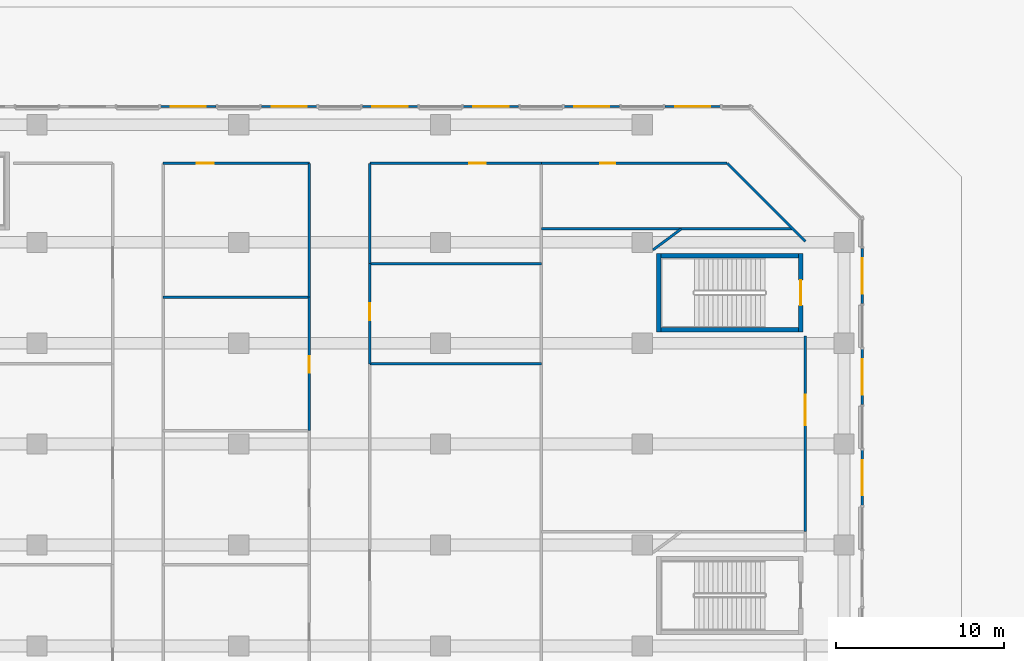
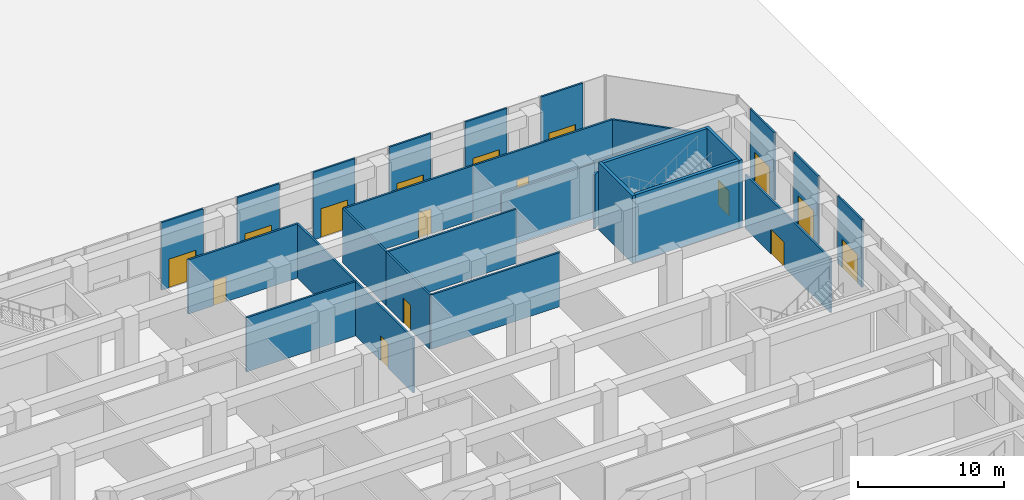
# One storey, part 24 of 32: 27 walls, 16 doors, 16 openings.
"""IFC4 building model written with IfcOpenShell, lengths in metres."""

from ifc_helpers import new_model, si_unit, direction, frame, frame_2d, origin, place, context, subcontext, project, spatial, rectangle, extrude, material, layer, layer_set, type_object, element, fill, save


model = new_model("IFC4")

# Units and contexts
model_context = context("Model", 3, precision=1e-05, world=origin(), true_north=direction((0.0, 1.0)))
body_context = subcontext(model_context, "Body", "Model", "MODEL_VIEW")
ifc_project = project(units=[si_unit("LENGTHUNIT", "METRE"), si_unit("AREAUNIT", "SQUARE_METRE"), si_unit("VOLUMEUNIT", "CUBIC_METRE"), si_unit("PLANEANGLEUNIT", "RADIAN"), si_unit("MASSUNIT", "GRAM", prefix="KILO")], contexts=[model_context])

# Site, building, storey
site_placement = place(None, origin())
site = spatial("IfcSite", under=ifc_project, at=site_placement, CompositionType="ELEMENT")
building_placement = place(site_placement, origin())
building = spatial("IfcBuilding", under=site, at=building_placement, Name="Welwitschia Terrace Campus", CompositionType="ELEMENT")
storey_placement = place(building_placement, origin())
storey = spatial("IfcBuildingStorey", under=building, at=storey_placement, Name="L00", CompositionType="ELEMENT", Elevation=0.0)

# Wall, opening, door
ifc_material_1 = material(Name="Concrete C40/50", Category="concrete")
ifc_layer_1 = layer(ifc_material_1, 0.139892578125)
ifc_layer_set_1 = layer_set([ifc_layer_1], Name="Concrete C40/50")
wall_type_1 = type_object("IfcWallType", Name="Clad wall 140", PredefinedType="SOLIDWALL", material=ifc_layer_set_1)
wall_1_placement = place(storey_placement, frame((97.0849609375, 46.35009765625, 0.0), z_axis=(0.0, 0.0, 1.0), x_axis=(0.0, 1.0, 0.0)))
wall_1 = element("IfcWall", 1, at=wall_1_placement, inside=storey, type_object=wall_type_1, Name="Clad wall L00.entrance E7", PredefinedType="SOLIDWALL", context=body_context, shape_type="SweptSolid", body=[
    extrude(rectangle(XDim=3.2998046875, YDim=0.139892578125, at=frame_2d((1.64990234375, 0.0))), origin(), (0.0, 0.0, 1.0), 5.64990234375),
])
opening_1_placement = place(wall_1_placement, frame((0.60009765625, 0.0, 0.0)))
opening_1 = element("IfcOpeningElement", 2, at=opening_1_placement, cuts=wall_1, Name="Opening DE1", PredefinedType="OPENING", context=body_context, shape_type="SweptSolid", body=[
    extrude(rectangle(XDim=2.10009765625, YDim=2.39990234375, at=frame_2d((1.050048828125, 1.199951171875))), frame((0.0, 0.079833984375, 0.0), z_axis=(0.0, -1.0, 0.0), x_axis=(1.0, 0.0, 0.0)), (0.0, 0.0, 1.0), 0.159912109375),
])
ifc_material_2 = material(Name="Bronze anodised aluminium and glass", Category="aluminium")
door_type_1 = type_object("IfcDoorType", Name="Entrance door 2100x2400", OperationType="DOUBLE_DOOR_DOUBLE_SWING", PredefinedType="DOOR", material=ifc_material_2)
door_1_placement = place(opening_1_placement, origin())
door_1 = element("IfcDoor", 3, at=door_1_placement, inside=storey, type_object=door_type_1, Name="Entrance door E7", OperationType="DOUBLE_DOOR_DOUBLE_SWING", OverallHeight=2.39990234375, OverallWidth=2.10009765625, PredefinedType="DOOR", context=body_context, shape_type="SweptSolid", body=[
    extrude(rectangle(XDim=2.10009765625, YDim=2.39990234375, at=frame_2d((1.050048828125, 1.199951171875))), frame((0.0, 0.02490234375, 0.0), z_axis=(0.0, -1.0, 0.0), x_axis=(1.0, 0.0, 0.0)), (0.0, 0.0, 1.0), 0.050048828125),
])
fill(opening_1, door_1)

wall_2_placement = place(storey_placement, frame((97.0849609375, 52.35009765625, 0.0), z_axis=(0.0, 0.0, 1.0), x_axis=(0.0, 1.0, 0.0)))
wall_2 = element("IfcWall", 4, at=wall_2_placement, inside=storey, type_object=wall_type_1, Name="Clad wall L00.entrance E8", PredefinedType="SOLIDWALL", context=body_context, shape_type="SweptSolid", body=[
    extrude(rectangle(XDim=3.2998046875, YDim=0.139892578125, at=frame_2d((1.64990234375, 0.0))), origin(), (0.0, 0.0, 1.0), 5.64990234375),
])
opening_2_placement = place(wall_2_placement, frame((0.60009765625, 0.0, 0.0)))
opening_2 = element("IfcOpeningElement", 5, at=opening_2_placement, cuts=wall_2, Name="Opening DE1", PredefinedType="OPENING", context=body_context, shape_type="SweptSolid", body=[
    extrude(rectangle(XDim=2.10009765625, YDim=2.39990234375, at=frame_2d((1.050048828125, 1.199951171875))), frame((0.0, 0.079833984375, 0.0), z_axis=(0.0, -1.0, 0.0), x_axis=(1.0, 0.0, 0.0)), (0.0, 0.0, 1.0), 0.159912109375),
])
door_2_placement = place(opening_2_placement, origin())
door_2 = element("IfcDoor", 6, at=door_2_placement, inside=storey, type_object=door_type_1, Name="Entrance door E8", OperationType="DOUBLE_DOOR_DOUBLE_SWING", OverallHeight=2.39990234375, OverallWidth=2.10009765625, PredefinedType="DOOR", context=body_context, shape_type="SweptSolid", body=[
    extrude(rectangle(XDim=2.10009765625, YDim=2.39990234375, at=frame_2d((1.050048828125, 1.199951171875))), frame((0.0, 0.02490234375, 0.0), z_axis=(0.0, -1.0, 0.0), x_axis=(1.0, 0.0, 0.0)), (0.0, 0.0, 1.0), 0.050048828125),
])
fill(opening_2, door_2)

wall_3_placement = place(storey_placement, frame((97.0849609375, 58.35009765625, 0.0), z_axis=(0.0, 0.0, 1.0), x_axis=(0.0, 1.0, 0.0)))
wall_3 = element("IfcWall", 7, at=wall_3_placement, inside=storey, type_object=wall_type_1, Name="Clad wall L00.entrance E9", PredefinedType="SOLIDWALL", context=body_context, shape_type="SweptSolid", body=[
    extrude(rectangle(XDim=3.2998046875, YDim=0.139892578125, at=frame_2d((1.64990234375, 0.0))), origin(), (0.0, 0.0, 1.0), 5.64990234375),
])
opening_3_placement = place(wall_3_placement, frame((0.60009765625, 0.0, 0.0)))
opening_3 = element("IfcOpeningElement", 8, at=opening_3_placement, cuts=wall_3, Name="Opening DE1", PredefinedType="OPENING", context=body_context, shape_type="SweptSolid", body=[
    extrude(rectangle(XDim=2.10009765625, YDim=2.39990234375, at=frame_2d((1.050048828125, 1.199951171875))), frame((0.0, 0.079833984375, 0.0), z_axis=(0.0, -1.0, 0.0), x_axis=(1.0, 0.0, 0.0)), (0.0, 0.0, 1.0), 0.159912109375),
])
door_3_placement = place(opening_3_placement, origin())
door_3 = element("IfcDoor", 9, at=door_3_placement, inside=storey, type_object=door_type_1, Name="Entrance door E9", OperationType="DOUBLE_DOOR_DOUBLE_SWING", OverallHeight=2.39990234375, OverallWidth=2.10009765625, PredefinedType="DOOR", context=body_context, shape_type="SweptSolid", body=[
    extrude(rectangle(XDim=2.10009765625, YDim=2.39990234375, at=frame_2d((1.050048828125, 1.199951171875))), frame((0.0, 0.02490234375, 0.0), z_axis=(0.0, -1.0, 0.0), x_axis=(1.0, 0.0, 0.0)), (0.0, 0.0, 1.0), 0.050048828125),
])
fill(opening_3, door_3)

wall_4_placement = place(storey_placement, frame((88.64990234375, 70.0849609375, 0.0), z_axis=(0.0, 0.0, 1.0), x_axis=(-1.0, 0.0, 0.0)))
wall_4 = element("IfcWall", 10, at=wall_4_placement, inside=storey, type_object=wall_type_1, Name="Clad wall L00.entrance N1", PredefinedType="SOLIDWALL", context=body_context, shape_type="SweptSolid", body=[
    extrude(rectangle(XDim=3.2998046875, YDim=0.139892578125, at=frame_2d((1.64990234375, 0.0))), origin(), (0.0, 0.0, 1.0), 5.64990234375),
])
opening_4_placement = place(wall_4_placement, frame((0.60009765625, 0.0, 0.0)))
opening_4 = element("IfcOpeningElement", 11, at=opening_4_placement, cuts=wall_4, Name="Opening DE1", PredefinedType="OPENING", context=body_context, shape_type="SweptSolid", body=[
    extrude(rectangle(XDim=2.10009765625, YDim=2.39990234375, at=frame_2d((1.050048828125, 1.199951171875))), frame((0.0, 0.079833984375, 0.0), z_axis=(0.0, -1.0, 0.0), x_axis=(1.0, 0.0, 0.0)), (0.0, 0.0, 1.0), 0.159912109375),
])
door_4_placement = place(opening_4_placement, origin())
door_4 = element("IfcDoor", 12, at=door_4_placement, inside=storey, type_object=door_type_1, Name="Entrance door N1", OperationType="DOUBLE_DOOR_DOUBLE_SWING", OverallHeight=2.39990234375, OverallWidth=2.10009765625, PredefinedType="DOOR", context=body_context, shape_type="SweptSolid", body=[
    extrude(rectangle(XDim=2.10009765625, YDim=2.39990234375, at=frame_2d((1.050048828125, 1.199951171875))), frame((0.0, 0.02490234375, 0.0), z_axis=(0.0, -1.0, 0.0), x_axis=(1.0, 0.0, 0.0)), (0.0, 0.0, 1.0), 0.050048828125),
])
fill(opening_4, door_4)

wall_5_placement = place(storey_placement, frame((82.64990234375, 70.0849609375, 0.0), z_axis=(0.0, 0.0, 1.0), x_axis=(-1.0, 0.0, 0.0)))
wall_5 = element("IfcWall", 13, at=wall_5_placement, inside=storey, type_object=wall_type_1, Name="Clad wall L00.entrance N2", PredefinedType="SOLIDWALL", context=body_context, shape_type="SweptSolid", body=[
    extrude(rectangle(XDim=3.2998046875, YDim=0.139892578125, at=frame_2d((1.64990234375, 0.0))), origin(), (0.0, 0.0, 1.0), 5.64990234375),
])
opening_5_placement = place(wall_5_placement, frame((0.60009765625, 0.0, 0.0)))
opening_5 = element("IfcOpeningElement", 14, at=opening_5_placement, cuts=wall_5, Name="Opening DE1", PredefinedType="OPENING", context=body_context, shape_type="SweptSolid", body=[
    extrude(rectangle(XDim=2.10009765625, YDim=2.39990234375, at=frame_2d((1.050048828125, 1.199951171875))), frame((0.0, 0.079833984375, 0.0), z_axis=(0.0, -1.0, 0.0), x_axis=(1.0, 0.0, 0.0)), (0.0, 0.0, 1.0), 0.159912109375),
])
door_5_placement = place(opening_5_placement, origin())
door_5 = element("IfcDoor", 15, at=door_5_placement, inside=storey, type_object=door_type_1, Name="Entrance door N2", OperationType="DOUBLE_DOOR_DOUBLE_SWING", OverallHeight=2.39990234375, OverallWidth=2.10009765625, PredefinedType="DOOR", context=body_context, shape_type="SweptSolid", body=[
    extrude(rectangle(XDim=2.10009765625, YDim=2.39990234375, at=frame_2d((1.050048828125, 1.199951171875))), frame((0.0, 0.02490234375, 0.0), z_axis=(0.0, -1.0, 0.0), x_axis=(1.0, 0.0, 0.0)), (0.0, 0.0, 1.0), 0.050048828125),
])
fill(opening_5, door_5)

wall_6_placement = place(storey_placement, frame((76.64990234375, 70.0849609375, 0.0), z_axis=(0.0, 0.0, 1.0), x_axis=(-1.0, 0.0, 0.0)))
wall_6 = element("IfcWall", 16, at=wall_6_placement, inside=storey, type_object=wall_type_1, Name="Clad wall L00.entrance N3", PredefinedType="SOLIDWALL", context=body_context, shape_type="SweptSolid", body=[
    extrude(rectangle(XDim=3.2998046875, YDim=0.139892578125, at=frame_2d((1.64990234375, 0.0))), origin(), (0.0, 0.0, 1.0), 5.64990234375),
])
opening_6_placement = place(wall_6_placement, frame((0.60009765625, 0.0, 0.0)))
opening_6 = element("IfcOpeningElement", 17, at=opening_6_placement, cuts=wall_6, Name="Opening DE1", PredefinedType="OPENING", context=body_context, shape_type="SweptSolid", body=[
    extrude(rectangle(XDim=2.10009765625, YDim=2.39990234375, at=frame_2d((1.050048828125, 1.199951171875))), frame((0.0, 0.079833984375, 0.0), z_axis=(0.0, -1.0, 0.0), x_axis=(1.0, 0.0, 0.0)), (0.0, 0.0, 1.0), 0.159912109375),
])
door_6_placement = place(opening_6_placement, origin())
door_6 = element("IfcDoor", 18, at=door_6_placement, inside=storey, type_object=door_type_1, Name="Entrance door N3", OperationType="DOUBLE_DOOR_DOUBLE_SWING", OverallHeight=2.39990234375, OverallWidth=2.10009765625, PredefinedType="DOOR", context=body_context, shape_type="SweptSolid", body=[
    extrude(rectangle(XDim=2.10009765625, YDim=2.39990234375, at=frame_2d((1.050048828125, 1.199951171875))), frame((0.0, 0.02490234375, 0.0), z_axis=(0.0, -1.0, 0.0), x_axis=(1.0, 0.0, 0.0)), (0.0, 0.0, 1.0), 0.050048828125),
])
fill(opening_6, door_6)

wall_7_placement = place(storey_placement, frame((70.64990234375, 70.0849609375, 0.0), z_axis=(0.0, 0.0, 1.0), x_axis=(-1.0, 0.0, 0.0)))
wall_7 = element("IfcWall", 19, at=wall_7_placement, inside=storey, type_object=wall_type_1, Name="Clad wall L00.entrance N4", PredefinedType="SOLIDWALL", context=body_context, shape_type="SweptSolid", body=[
    extrude(rectangle(XDim=3.2998046875, YDim=0.139892578125, at=frame_2d((1.64990234375, 0.0))), origin(), (0.0, 0.0, 1.0), 5.64990234375),
])
opening_7_placement = place(wall_7_placement, frame((0.60009765625, 0.0, 0.0)))
opening_7 = element("IfcOpeningElement", 20, at=opening_7_placement, cuts=wall_7, Name="Opening DE1", PredefinedType="OPENING", context=body_context, shape_type="SweptSolid", body=[
    extrude(rectangle(XDim=2.10009765625, YDim=2.39990234375, at=frame_2d((1.050048828125, 1.199951171875))), frame((0.0, 0.079833984375, 0.0), z_axis=(0.0, -1.0, 0.0), x_axis=(1.0, 0.0, 0.0)), (0.0, 0.0, 1.0), 0.159912109375),
])
door_7_placement = place(opening_7_placement, origin())
door_7 = element("IfcDoor", 21, at=door_7_placement, inside=storey, type_object=door_type_1, Name="Entrance door N4", OperationType="DOUBLE_DOOR_DOUBLE_SWING", OverallHeight=2.39990234375, OverallWidth=2.10009765625, PredefinedType="DOOR", context=body_context, shape_type="SweptSolid", body=[
    extrude(rectangle(XDim=2.10009765625, YDim=2.39990234375, at=frame_2d((1.050048828125, 1.199951171875))), frame((0.0, 0.02490234375, 0.0), z_axis=(0.0, -1.0, 0.0), x_axis=(1.0, 0.0, 0.0)), (0.0, 0.0, 1.0), 0.050048828125),
])
fill(opening_7, door_7)

wall_8_placement = place(storey_placement, frame((64.64990234375, 70.0849609375, 0.0), z_axis=(0.0, 0.0, 1.0), x_axis=(-1.0, 0.0, 0.0)))
wall_8 = element("IfcWall", 22, at=wall_8_placement, inside=storey, type_object=wall_type_1, Name="Clad wall L00.entrance N5", PredefinedType="SOLIDWALL", context=body_context, shape_type="SweptSolid", body=[
    extrude(rectangle(XDim=3.2998046875, YDim=0.139892578125, at=frame_2d((1.64990234375, 0.0))), origin(), (0.0, 0.0, 1.0), 5.64990234375),
])
opening_8_placement = place(wall_8_placement, frame((0.60009765625, 0.0, 0.0)))
opening_8 = element("IfcOpeningElement", 23, at=opening_8_placement, cuts=wall_8, Name="Opening DE1", PredefinedType="OPENING", context=body_context, shape_type="SweptSolid", body=[
    extrude(rectangle(XDim=2.10009765625, YDim=2.39990234375, at=frame_2d((1.050048828125, 1.199951171875))), frame((0.0, 0.079833984375, 0.0), z_axis=(0.0, -1.0, 0.0), x_axis=(1.0, 0.0, 0.0)), (0.0, 0.0, 1.0), 0.159912109375),
])
door_8_placement = place(opening_8_placement, origin())
door_8 = element("IfcDoor", 24, at=door_8_placement, inside=storey, type_object=door_type_1, Name="Entrance door N5", OperationType="DOUBLE_DOOR_DOUBLE_SWING", OverallHeight=2.39990234375, OverallWidth=2.10009765625, PredefinedType="DOOR", context=body_context, shape_type="SweptSolid", body=[
    extrude(rectangle(XDim=2.10009765625, YDim=2.39990234375, at=frame_2d((1.050048828125, 1.199951171875))), frame((0.0, 0.02490234375, 0.0), z_axis=(0.0, -1.0, 0.0), x_axis=(1.0, 0.0, 0.0)), (0.0, 0.0, 1.0), 0.050048828125),
])
fill(opening_8, door_8)

wall_9_placement = place(storey_placement, frame((58.64990234375, 70.0849609375, 0.0), z_axis=(0.0, 0.0, 1.0), x_axis=(-1.0, 0.0, 0.0)))
wall_9 = element("IfcWall", 25, at=wall_9_placement, inside=storey, type_object=wall_type_1, Name="Clad wall L00.entrance N6", PredefinedType="SOLIDWALL", context=body_context, shape_type="SweptSolid", body=[
    extrude(rectangle(XDim=3.2998046875, YDim=0.139892578125, at=frame_2d((1.64990234375, 0.0))), origin(), (0.0, 0.0, 1.0), 5.64990234375),
])
opening_9_placement = place(wall_9_placement, frame((0.60009765625, 0.0, 0.0)))
opening_9 = element("IfcOpeningElement", 26, at=opening_9_placement, cuts=wall_9, Name="Opening DE1", PredefinedType="OPENING", context=body_context, shape_type="SweptSolid", body=[
    extrude(rectangle(XDim=2.10009765625, YDim=2.39990234375, at=frame_2d((1.050048828125, 1.199951171875))), frame((0.0, 0.079833984375, 0.0), z_axis=(0.0, -1.0, 0.0), x_axis=(1.0, 0.0, 0.0)), (0.0, 0.0, 1.0), 0.159912109375),
])
door_9_placement = place(opening_9_placement, origin())
door_9 = element("IfcDoor", 27, at=door_9_placement, inside=storey, type_object=door_type_1, Name="Entrance door N6", OperationType="DOUBLE_DOOR_DOUBLE_SWING", OverallHeight=2.39990234375, OverallWidth=2.10009765625, PredefinedType="DOOR", context=body_context, shape_type="SweptSolid", body=[
    extrude(rectangle(XDim=2.10009765625, YDim=2.39990234375, at=frame_2d((1.050048828125, 1.199951171875))), frame((0.0, 0.02490234375, 0.0), z_axis=(0.0, -1.0, 0.0), x_axis=(1.0, 0.0, 0.0)), (0.0, 0.0, 1.0), 0.050048828125),
])
fill(opening_9, door_9)

# Wall
ifc_material_3 = material(Name="Concrete C50/60", Category="concrete")
ifc_layer_2 = layer(ifc_material_3, 0.25)
ifc_layer_set_2 = layer_set([ifc_layer_2], Name="Concrete C50/60")
wall_type_2 = type_object("IfcWallType", Name="Core wall 250 Concrete C50/60", PredefinedType="SHEAR", material=ifc_layer_set_2)
wall_10_placement = place(storey_placement, frame((84.97509765625, 56.675048828125, 0.0), z_axis=(0.0, 0.0, 1.0), x_axis=(0.0, 1.0, 0.0)))
element("IfcWall", 28, at=wall_10_placement, inside=storey, type_object=wall_type_2, Name="Core wall", PredefinedType="SHEAR", context=body_context, shape_type="SweptSolid", body=[
    extrude(rectangle(XDim=4.64990234375, YDim=0.25, at=frame_2d((2.324951171875, 0.0))), origin(), (0.0, 0.0, 1.0), 5.64990234375),
])

# Wall, opening, door
wall_11_placement = place(storey_placement, frame((93.425048828125, 61.324951171875, 0.0), z_axis=(0.0, 0.0, 1.0), x_axis=(0.0, -1.0, 0.0)))
wall_11 = element("IfcWall", 29, at=wall_11_placement, inside=storey, type_object=wall_type_2, Name="Core wall", PredefinedType="SHEAR", context=body_context, shape_type="SweptSolid", body=[
    extrude(rectangle(XDim=4.64990234375, YDim=0.25, at=frame_2d((2.324951171875, 0.0))), origin(), (0.0, 0.0, 1.0), 5.64990234375),
])
opening_10_placement = place(wall_11_placement, frame((1.574951171875, 0.0, 0.0)))
opening_10 = element("IfcOpeningElement", 30, at=opening_10_placement, cuts=wall_11, Name="Opening DS15", PredefinedType="OPENING", context=body_context, shape_type="SweptSolid", body=[
    extrude(rectangle(XDim=1.5, YDim=2.10009765625, at=frame_2d((0.75, 1.050048828125))), frame((0.0, 0.135009765625, 0.0), z_axis=(0.0, -1.0, 0.0), x_axis=(1.0, 0.0, 0.0)), (0.0, 0.0, 1.0), 0.27001953125),
])
ifc_material_4 = material(Name="Steel S275", Category="steel")
door_type_2 = type_object("IfcDoorType", Name="Core door DS15", OperationType="DOUBLE_DOOR_SINGLE_SWING", PredefinedType="DOOR", material=ifc_material_4)
door_10_placement = place(opening_10_placement, origin())
door_10 = element("IfcDoor", 31, at=door_10_placement, inside=storey, type_object=door_type_2, Name="Door P3", OperationType="DOUBLE_DOOR_SINGLE_SWING", OverallHeight=2.10009765625, OverallWidth=1.5, PredefinedType="DOOR", context=body_context, shape_type="SweptSolid", body=[
    extrude(rectangle(XDim=1.5, YDim=2.10009765625, at=frame_2d((0.75, 1.050048828125))), frame((0.0, 0.02490234375, 0.0), z_axis=(0.0, -1.0, 0.0), x_axis=(1.0, 0.0, 0.0)), (0.0, 0.0, 1.0), 0.050048828125),
])
fill(opening_10, door_10)

# Walls
for number, where, z_axis, x_axis, name in (
    (32, (85.10009765625, 56.800048828125, 0.0), (0.0, 0.0, 1.0), (1.0, 0.0, 0.0), "Core wall"),
    (33, (85.10009765625, 61.199951171875, 0.0), (0.0, 0.0, 1.0), (1.0, 0.0, 0.0), "Core wall"),
):
    element("IfcWall", number, at=place(storey_placement, frame(where, z_axis=z_axis, x_axis=x_axis)), inside=storey, type_object=wall_type_2, Name=name, PredefinedType="SHEAR", context=body_context, shape_type="SweptSolid", body=[
        extrude(rectangle(XDim=8.199951171875, YDim=0.25, at=frame_2d((4.10009765625, 0.0))), origin(), (0.0, 0.0, 1.0), 5.64990234375),
    ])
ifc_material_5 = material(Name="Gypsum board on steel studs", Category="steel")
ifc_layer_3 = layer(ifc_material_5, 0.14990234375)
ifc_layer_set_3 = layer_set([ifc_layer_3], Name="Gypsum board on steel studs")
wall_type_3 = type_object("IfcWallType", Name="Corridor partition 150 EI 30", PredefinedType="PARTITIONING", material=ifc_layer_set_3)
wall_12_placement = place(storey_placement, frame((55.5, 58.739990234375, 0.0), z_axis=(0.0, 0.0, 1.0), x_axis=(1.0, 0.0, 0.0)))
element("IfcWall", 34, at=wall_12_placement, inside=storey, type_object=wall_type_3, Name="Partition", PredefinedType="PARTITIONING", context=body_context, shape_type="SweptSolid", body=[
    extrude(rectangle(XDim=8.699951171875, YDim=0.14990234375, at=frame_2d((4.35009765625, 0.0))), origin(), (0.0, 0.0, 1.0), 4.530029296875),
])

# Wall, opening, door
wall_13_placement = place(storey_placement, frame((64.199951171875, 50.800048828125, 0.0), z_axis=(0.0, 0.0, 1.0), x_axis=(0.0, 1.0, 0.0)))
wall_13 = element("IfcWall", 35, at=wall_13_placement, inside=storey, type_object=wall_type_3, Name="Partition", PredefinedType="PARTITIONING", context=body_context, shape_type="SweptSolid", body=[
    extrude(rectangle(XDim=7.93994140625, YDim=0.14990234375, at=frame_2d((3.969970703125, 0.0))), origin(), (0.0, 0.0, 1.0), 4.530029296875),
])
opening_11_placement = place(wall_13_placement, frame((3.43994140625, 0.0, 0.0)))
opening_11 = element("IfcOpeningElement", 36, at=opening_11_placement, cuts=wall_13, Name="Opening DI10", PredefinedType="OPENING", context=body_context, shape_type="SweptSolid", body=[
    extrude(rectangle(XDim=1.0, YDim=2.10009765625, at=frame_2d((0.5, 1.050048828125))), frame((0.0, 0.0849609375, 0.0), z_axis=(0.0, -1.0, 0.0), x_axis=(1.0, 0.0, 0.0)), (0.0, 0.0, 1.0), 0.169921875),
])
ifc_material_6 = material(Name="Timber veneered door", Category="wood")
door_type_3 = type_object("IfcDoorType", Name="Interior door DI10", OperationType="NOTDEFINED", PredefinedType="DOOR", material=ifc_material_6)
door_11_placement = place(opening_11_placement, origin())
door_11 = element("IfcDoor", 37, at=door_11_placement, inside=storey, type_object=door_type_3, Name="Door L00 045", OperationType="SINGLE_SWING_RIGHT", OverallHeight=2.10009765625, OverallWidth=1.0, PredefinedType="DOOR", context=body_context, shape_type="SweptSolid", body=[
    extrude(rectangle(XDim=1.0, YDim=2.10009765625, at=frame_2d((0.5, 1.050048828125))), frame((0.0, 0.02490234375, 0.0), z_axis=(0.0, -1.0, 0.0), x_axis=(1.0, 0.0, 0.0)), (0.0, 0.0, 1.0), 0.050048828125),
])
fill(opening_11, door_11)

# Wall
wall_14_placement = place(storey_placement, frame((64.199951171875, 58.739990234375, 0.0), z_axis=(0.0, 0.0, 1.0), x_axis=(0.0, 1.0, 0.0)))
element("IfcWall", 38, at=wall_14_placement, inside=storey, type_object=wall_type_3, Name="Partition", PredefinedType="PARTITIONING", context=body_context, shape_type="SweptSolid", body=[
    extrude(rectangle(XDim=7.9599609375, YDim=0.14990234375, at=frame_2d((3.97998046875, 0.0))), origin(), (0.0, 0.0, 1.0), 4.530029296875),
])

# Wall, opening, door
wall_15_placement = place(storey_placement, frame((64.199951171875, 66.699951171875, 0.0), z_axis=(0.0, 0.0, 1.0), x_axis=(-1.0, 0.0, 0.0)))
wall_15 = element("IfcWall", 39, at=wall_15_placement, inside=storey, type_object=wall_type_3, Name="Partition", PredefinedType="PARTITIONING", context=body_context, shape_type="SweptSolid", body=[
    extrude(rectangle(XDim=8.699951171875, YDim=0.14990234375, at=frame_2d((4.35009765625, 0.0))), origin(), (0.0, 0.0, 1.0), 4.530029296875),
])
opening_12_placement = place(wall_15_placement, frame((5.699951171875, 0.0, 0.0)))
opening_12 = element("IfcOpeningElement", 40, at=opening_12_placement, cuts=wall_15, Name="Opening DI10", PredefinedType="OPENING", context=body_context, shape_type="SweptSolid", body=[
    extrude(rectangle(XDim=1.0, YDim=2.10009765625, at=frame_2d((0.5, 1.050048828125))), frame((0.0, 0.0849609375, 0.0), z_axis=(0.0, -1.0, 0.0), x_axis=(1.0, 0.0, 0.0)), (0.0, 0.0, 1.0), 0.169921875),
])
door_12_placement = place(opening_12_placement, origin())
door_12 = element("IfcDoor", 41, at=door_12_placement, inside=storey, type_object=door_type_3, Name="Door L00 046", OperationType="SINGLE_SWING_LEFT", OverallHeight=2.10009765625, OverallWidth=1.0, PredefinedType="DOOR", context=body_context, shape_type="SweptSolid", body=[
    extrude(rectangle(XDim=1.0, YDim=2.10009765625, at=frame_2d((0.5, 1.050048828125))), frame((0.0, 0.02490234375, 0.0), z_axis=(0.0, -1.0, 0.0), x_axis=(1.0, 0.0, 0.0)), (0.0, 0.0, 1.0), 0.050048828125),
])
fill(opening_12, door_12)

# Wall
wall_16_placement = place(storey_placement, frame((67.800048828125, 54.77001953125, 0.0), z_axis=(0.0, 0.0, 1.0), x_axis=(1.0, 0.0, 0.0)))
element("IfcWall", 42, at=wall_16_placement, inside=storey, type_object=wall_type_3, Name="Partition", PredefinedType="PARTITIONING", context=body_context, shape_type="SweptSolid", body=[
    extrude(rectangle(XDim=10.199951171875, YDim=0.14990234375, at=frame_2d((5.10009765625, 0.0))), origin(), (0.0, 0.0, 1.0), 4.530029296875),
])

# Wall, opening, door
wall_17_placement = place(storey_placement, frame((67.800048828125, 60.72998046875, 0.0), z_axis=(0.0, 0.0, 1.0), x_axis=(0.0, -1.0, 0.0)))
wall_17 = element("IfcWall", 43, at=wall_17_placement, inside=storey, type_object=wall_type_3, Name="Partition", PredefinedType="PARTITIONING", context=body_context, shape_type="SweptSolid", body=[
    extrude(rectangle(XDim=5.9599609375, YDim=0.14990234375, at=frame_2d((2.97998046875, 0.0))), origin(), (0.0, 0.0, 1.0), 4.530029296875),
])
opening_13_placement = place(wall_17_placement, frame((2.360107421875, 0.0, 0.0)))
opening_13 = element("IfcOpeningElement", 44, at=opening_13_placement, cuts=wall_17, Name="Opening DI10", PredefinedType="OPENING", context=body_context, shape_type="SweptSolid", body=[
    extrude(rectangle(XDim=1.0, YDim=2.10009765625, at=frame_2d((0.5, 1.050048828125))), frame((0.0, 0.0849609375, 0.0), z_axis=(0.0, -1.0, 0.0), x_axis=(1.0, 0.0, 0.0)), (0.0, 0.0, 1.0), 0.169921875),
])
door_13_placement = place(opening_13_placement, origin())
door_13 = element("IfcDoor", 45, at=door_13_placement, inside=storey, type_object=door_type_3, Name="Door L00 050", OperationType="SINGLE_SWING_LEFT", OverallHeight=2.10009765625, OverallWidth=1.0, PredefinedType="DOOR", context=body_context, shape_type="SweptSolid", body=[
    extrude(rectangle(XDim=1.0, YDim=2.10009765625, at=frame_2d((0.5, 1.050048828125))), frame((0.0, 0.02490234375, 0.0), z_axis=(0.0, -1.0, 0.0), x_axis=(1.0, 0.0, 0.0)), (0.0, 0.0, 1.0), 0.050048828125),
])
fill(opening_13, door_13)

# Walls
wall_18_placement = place(storey_placement, frame((67.800048828125, 60.72998046875, 0.0), z_axis=(0.0, 0.0, 1.0), x_axis=(0.0, 1.0, 0.0)))
element("IfcWall", 46, at=wall_18_placement, inside=storey, type_object=wall_type_3, Name="Partition", PredefinedType="PARTITIONING", context=body_context, shape_type="SweptSolid", body=[
    extrude(rectangle(XDim=5.969970703125, YDim=0.14990234375, at=frame_2d((2.98486328125, 0.0))), origin(), (0.0, 0.0, 1.0), 4.530029296875),
])
wall_19_placement = place(storey_placement, frame((67.800048828125, 60.72998046875, 0.0), z_axis=(0.0, 0.0, 1.0), x_axis=(1.0, 0.0, 0.0)))
element("IfcWall", 47, at=wall_19_placement, inside=storey, type_object=wall_type_3, Name="Partition", PredefinedType="PARTITIONING", context=body_context, shape_type="SweptSolid", body=[
    extrude(rectangle(XDim=10.199951171875, YDim=0.14990234375, at=frame_2d((5.10009765625, 0.0))), origin(), (0.0, 0.0, 1.0), 4.530029296875),
])
wall_20_placement = place(storey_placement, frame((78.0, 62.800048828125, 0.0), z_axis=(0.0, 0.0, 1.0), x_axis=(1.0, 0.0, 0.0)))
element("IfcWall", 48, at=wall_20_placement, inside=storey, type_object=wall_type_3, Name="Partition", PredefinedType="PARTITIONING", context=body_context, shape_type="SweptSolid", body=[
    extrude(rectangle(XDim=14.949951171875, YDim=0.14990234375, at=frame_2d((7.47509765625, 0.0))), origin(), (0.0, 0.0, 1.0), 4.530029296875),
])

# Wall, opening, door
wall_21_placement = place(storey_placement, frame((78.0, 66.699951171875, 0.0), z_axis=(0.0, 0.0, 1.0), x_axis=(-1.0, 0.0, 0.0)))
wall_21 = element("IfcWall", 49, at=wall_21_placement, inside=storey, type_object=wall_type_3, Name="Partition", PredefinedType="PARTITIONING", context=body_context, shape_type="SweptSolid", body=[
    extrude(rectangle(XDim=10.199951171875, YDim=0.14990234375, at=frame_2d((5.10009765625, 0.0))), origin(), (0.0, 0.0, 1.0), 4.530029296875),
])
opening_14_placement = place(wall_21_placement, frame((3.300048828125, 0.0, 0.0)))
opening_14 = element("IfcOpeningElement", 50, at=opening_14_placement, cuts=wall_21, Name="Opening DI10", PredefinedType="OPENING", context=body_context, shape_type="SweptSolid", body=[
    extrude(rectangle(XDim=1.0, YDim=2.10009765625, at=frame_2d((0.5, 1.050048828125))), frame((0.0, 0.0849609375, 0.0), z_axis=(0.0, -1.0, 0.0), x_axis=(1.0, 0.0, 0.0)), (0.0, 0.0, 1.0), 0.169921875),
])
door_14_placement = place(opening_14_placement, origin())
door_14 = element("IfcDoor", 51, at=door_14_placement, inside=storey, type_object=door_type_3, Name="Door L00 053", OperationType="SINGLE_SWING_RIGHT", OverallHeight=2.10009765625, OverallWidth=1.0, PredefinedType="DOOR", context=body_context, shape_type="SweptSolid", body=[
    extrude(rectangle(XDim=1.0, YDim=2.10009765625, at=frame_2d((0.5, 1.050048828125))), frame((0.0, 0.02490234375, 0.0), z_axis=(0.0, -1.0, 0.0), x_axis=(1.0, 0.0, 0.0)), (0.0, 0.0, 1.0), 0.050048828125),
])
fill(opening_14, door_14)

# Wall
wall_22_placement = place(storey_placement, frame((84.639892578125, 61.550048828125, 0.0), z_axis=(0.0, 0.0, 1.0), x_axis=(0.802316318144, 0.596899091673, 0.0)))
element("IfcWall", 52, at=wall_22_placement, inside=storey, type_object=wall_type_3, Name="Partition", PredefinedType="PARTITIONING", context=body_context, shape_type="SweptSolid", body=[
    extrude(rectangle(XDim=2.09423828125, YDim=0.14990234375, at=frame_2d((1.047119140625, 0.0))), origin(), (0.0, 0.0, 1.0), 4.530029296875),
])

# Wall, opening, door
wall_23_placement = place(storey_placement, frame((89.050048828125, 66.699951171875, 0.0), z_axis=(0.0, 0.0, 1.0), x_axis=(-1.0, 0.0, 0.0)))
wall_23 = element("IfcWall", 53, at=wall_23_placement, inside=storey, type_object=wall_type_3, Name="Partition", PredefinedType="PARTITIONING", context=body_context, shape_type="SweptSolid", body=[
    extrude(rectangle(XDim=11.050048828125, YDim=0.14990234375, at=frame_2d((5.52490234375, 0.0))), origin(), (0.0, 0.0, 1.0), 4.530029296875),
])
opening_15_placement = place(wall_23_placement, frame((6.64990234375, 0.0, 0.0)))
opening_15 = element("IfcOpeningElement", 54, at=opening_15_placement, cuts=wall_23, Name="Opening DI09", PredefinedType="OPENING", context=body_context, shape_type="SweptSolid", body=[
    extrude(rectangle(XDim=0.89990234375, YDim=2.10009765625, at=frame_2d((0.449951171875, 1.050048828125))), frame((0.0, 0.0849609375, 0.0), z_axis=(0.0, -1.0, 0.0), x_axis=(1.0, 0.0, 0.0)), (0.0, 0.0, 1.0), 0.169921875),
])
ifc_material_7 = material(Name="Timber veneered door", Category="wood")
door_type_4 = type_object("IfcDoorType", Name="Interior door DI09", OperationType="NOTDEFINED", PredefinedType="DOOR", material=ifc_material_7)
door_15_placement = place(opening_15_placement, origin())
door_15 = element("IfcDoor", 55, at=door_15_placement, inside=storey, type_object=door_type_4, Name="Door L00 054", OperationType="SINGLE_SWING_LEFT", OverallHeight=2.10009765625, OverallWidth=0.89990234375, PredefinedType="DOOR", context=body_context, shape_type="SweptSolid", body=[
    extrude(rectangle(XDim=0.89990234375, YDim=2.10009765625, at=frame_2d((0.449951171875, 1.050048828125))), frame((0.0, 0.02490234375, 0.0), z_axis=(0.0, -1.0, 0.0), x_axis=(1.0, 0.0, 0.0)), (0.0, 0.0, 1.0), 0.050048828125),
])
fill(opening_15, door_15)

# Wall
wall_24_placement = place(storey_placement, frame((89.050048828125, 66.699951171875, 0.0), z_axis=(0.0, 0.0, 1.0), x_axis=(0.707106781187, -0.707106781187, 0.0)))
element("IfcWall", 56, at=wall_24_placement, inside=storey, type_object=wall_type_3, Name="Partition", PredefinedType="PARTITIONING", context=body_context, shape_type="SweptSolid", body=[
    extrude(rectangle(XDim=6.575927734375, YDim=0.14990234375, at=frame_2d((3.2880859375, 0.0))), origin(), (0.0, 0.0, 1.0), 4.530029296875),
])

# Wall, opening, door
wall_25_placement = place(storey_placement, frame((93.699951171875, 56.429931640625, 0.0), z_axis=(0.0, 0.0, 1.0), x_axis=(0.0, -1.0, 0.0)))
wall_25 = element("IfcWall", 57, at=wall_25_placement, inside=storey, type_object=wall_type_3, Name="Partition", PredefinedType="PARTITIONING", context=body_context, shape_type="SweptSolid", body=[
    extrude(rectangle(XDim=11.6298828125, YDim=0.14990234375, at=frame_2d((5.81494140625, 0.0))), origin(), (0.0, 0.0, 1.0), 4.530029296875),
])
opening_16_placement = place(wall_25_placement, frame((3.5, 0.0, 0.0)))
opening_16 = element("IfcOpeningElement", 58, at=opening_16_placement, cuts=wall_25, Name="Opening DI18", PredefinedType="OPENING", context=body_context, shape_type="SweptSolid", body=[
    extrude(rectangle(XDim=1.800048828125, YDim=2.10009765625, at=frame_2d((0.89990234375, 1.050048828125))), frame((0.0, 0.0849609375, 0.0), z_axis=(0.0, -1.0, 0.0), x_axis=(1.0, 0.0, 0.0)), (0.0, 0.0, 1.0), 0.169921875),
])
ifc_material_8 = material(Name="Timber veneered door", Category="wood")
door_type_5 = type_object("IfcDoorType", Name="Interior door DI18", OperationType="DOUBLE_DOOR_SINGLE_SWING", PredefinedType="DOOR", material=ifc_material_8)
door_16_placement = place(opening_16_placement, origin())
door_16 = element("IfcDoor", 59, at=door_16_placement, inside=storey, type_object=door_type_5, Name="Door L00 057", OperationType="SINGLE_SWING_LEFT", OverallHeight=2.10009765625, OverallWidth=1.800048828125, PredefinedType="DOOR", context=body_context, shape_type="SweptSolid", body=[
    extrude(rectangle(XDim=1.800048828125, YDim=2.10009765625, at=frame_2d((0.89990234375, 1.050048828125))), frame((0.0, 0.02490234375, 0.0), z_axis=(0.0, -1.0, 0.0), x_axis=(1.0, 0.0, 0.0)), (0.0, 0.0, 1.0), 0.050048828125),
])
fill(opening_16, door_16)

save(model, "model.ifc")
